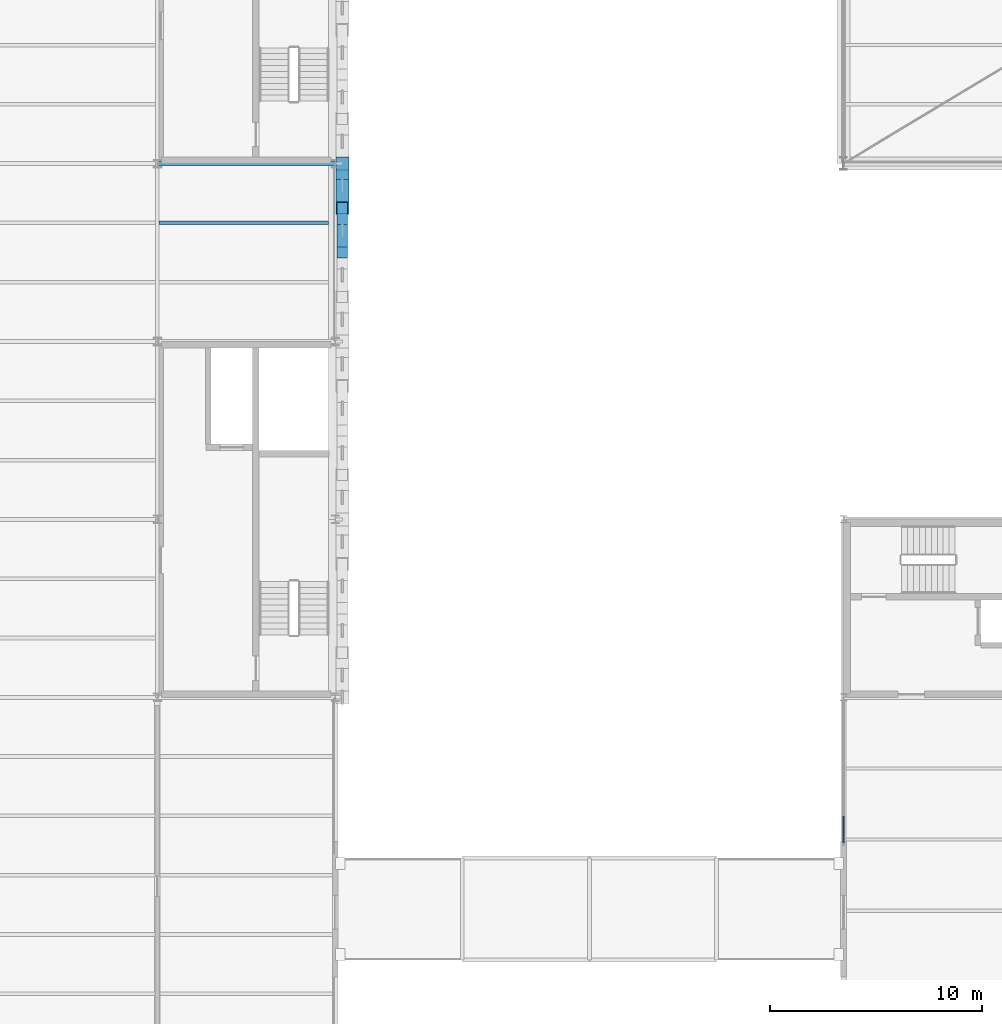
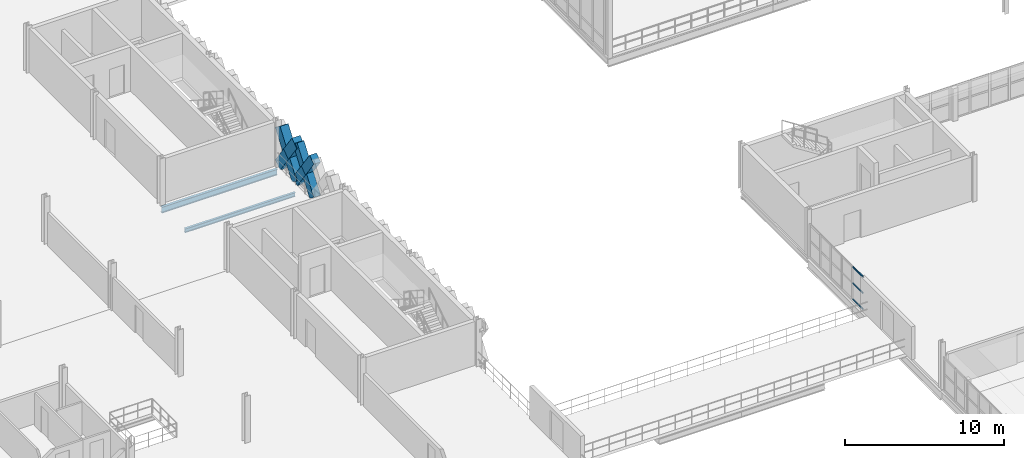
# One storey, part 33 of 101: 9 members, 2 beams, 1 element without a shape of its own.
"""IFC4 building model written with IfcOpenShell, lengths in metres."""

from ifc_helpers import new_model, si_unit, direction, frame, origin, origin_2d, place, context, subcontext, project, spatial, rectangle, i_section, extrude, material, layer, layer_set, material_profile, profile_set, type_object, element, aggregate, save


model = new_model("IFC4")

# Units and contexts
model_context = context("Model", 3, precision=1e-05, world=origin(), true_north=direction((0.0, 1.0)))
body_context = subcontext(model_context, "Body", "Model", "MODEL_VIEW")
ifc_project = project(units=[si_unit("LENGTHUNIT", "METRE"), si_unit("AREAUNIT", "SQUARE_METRE"), si_unit("VOLUMEUNIT", "CUBIC_METRE"), si_unit("PLANEANGLEUNIT", "RADIAN"), si_unit("MASSUNIT", "GRAM", prefix="KILO"), si_unit("THERMODYNAMICTEMPERATUREUNIT", "KELVIN"), si_unit("POWERUNIT", "WATT")], contexts=[model_context])

# Site, building, storey
site_placement = place(None, origin())
site = spatial("IfcSite", under=ifc_project, at=site_placement, CompositionType="ELEMENT")
building_placement = place(site_placement, origin())
building = spatial("IfcBuilding", under=site, at=building_placement, Name="Tembeka Court Mobility Hub", CompositionType="ELEMENT")
storey_placement = place(building_placement, frame((0.0, 0.0, 5.39990234375)))
storey = spatial("IfcBuildingStorey", under=building, at=storey_placement, Name="L01", CompositionType="ELEMENT", Elevation=5.39990234375)

# Beams
ifc_material_1 = material(Name="Steel S355", Category="steel")
ifc_material_profile_1 = material_profile(ifc_material_1, i_section(OverallWidth=0.18994140625, OverallDepth=0.45703125, WebThickness=0.009033203125, FlangeThickness=0.014404296875, FilletRadius=0.01025390625, at=origin_2d()), Name="UKB 457x191x74")
ifc_profile_set_1 = profile_set([ifc_material_profile_1], Name="Steel S355")
beam_type_1 = type_object("IfcBeamType", Name="BM-B01", PredefinedType="BEAM", material=ifc_profile_set_1)
beam_1_placement = place(storey_placement, frame((84.0, 63.60009765625, -0.448486328125), z_axis=(1.0, 0.0, 0.0), x_axis=(0.0, 1.0, 0.0)))
element("IfcBeam", 1, at=beam_1_placement, inside=storey, type_object=beam_type_1, Name="Beam B01 (BM-L01-X0701)", PredefinedType="BEAM", context=body_context, shape_type="SweptSolid", body=[
    extrude(i_section(OverallWidth=0.18994140625, OverallDepth=0.45703125, WebThickness=0.009033203125, FlangeThickness=0.014404296875, FilletRadius=0.01025390625, at=origin_2d()), origin(), (0.0, 0.0, 1.0), 8.39990234375),
])
ifc_material_profile_2 = material_profile(ifc_material_1, i_section(OverallWidth=0.1650390625, OverallDepth=0.303955078125, WebThickness=0.006103515625, FlangeThickness=0.01025390625, FilletRadius=0.0087890625, at=origin_2d()), Name="UKB 305x165x40")
ifc_profile_set_2 = profile_set([ifc_material_profile_2], Name="Steel S355")
beam_type_2 = type_object("IfcBeamType", Name="BM-J02", PredefinedType="JOIST", material=ifc_profile_set_2)
beam_2_placement = place(storey_placement, frame((84.083984375, 60.800048828125, -0.371826171875), z_axis=(1.0, 0.0, 0.0), x_axis=(0.0, 1.0, 0.0)))
element("IfcBeam", 2, at=beam_2_placement, inside=storey, type_object=beam_type_2, Name="Beam J02 (JST-L01-1101)", PredefinedType="JOIST", context=body_context, shape_type="SweptSolid", body=[
    extrude(i_section(OverallWidth=0.1650390625, OverallDepth=0.303955078125, WebThickness=0.006103515625, FlangeThickness=0.01025390625, FilletRadius=0.0087890625, at=origin_2d()), origin(), (0.0, 0.0, 1.0), 7.99609375),
])

# Curtain wall, members
ifc_material_2 = material(Name="Anodised aluminium 6063-T6", Category="aluminium")
ifc_layer = layer(ifc_material_2, 0.159912109375)
ifc_layer_set = layer_set([ifc_layer], Name="Anodised aluminium 6063-T6")
curtain_wall_type = type_object("IfcCurtainWallType", Name="CW-SYS36", PredefinedType="USERDEFINED", material=ifc_layer_set)
curtain_wall_placement = place(storey_placement, origin())
curtain_wall = element("IfcCurtainWall", 3, at=curtain_wall_placement, inside=storey, type_object=curtain_wall_type, Name="Unitised curtain wall CW36 (CW-L01-104)", ObjectType="UNITISED GLAZING", PredefinedType="USERDEFINED")
ifc_material_profile_3 = material_profile(ifc_material_2, rectangle(XDim=0.06494140625, YDim=0.1201171875, at=origin_2d()), Name="ALU-TRN 65x120")
ifc_profile_set_3 = profile_set([ifc_material_profile_3], Name="Anodised aluminium 6063-T6")
member_type_1 = type_object("IfcMemberType", Name="CW-TRN01", PredefinedType="USERDEFINED", material=ifc_profile_set_3)
member_1_placement = place(storey_placement, frame((116.39990234375, 31.52490234375, 0.03271484375), z_axis=(0.0, 1.0, 0.0), x_axis=(-1.0, 0.0, 0.0)))
member_1 = element("IfcMember", 4, at=member_1_placement, type_object=member_type_1, Name="CW36 transom 1.1", ObjectType="TRANSOM", PredefinedType="USERDEFINED", context=body_context, shape_type="SweptSolid", body=[
    extrude(rectangle(XDim=0.06494140625, YDim=0.1201171875, at=origin_2d()), origin(), (0.0, 0.0, 1.0), 1.25048828125),
])
member_2_placement = place(storey_placement, frame((116.39990234375, 31.52490234375, 1.267578125), z_axis=(0.0, 1.0, 0.0), x_axis=(-1.0, 0.0, 0.0)))
member_2 = element("IfcMember", 5, at=member_2_placement, type_object=member_type_1, Name="CW36 transom 1.2", ObjectType="TRANSOM", PredefinedType="USERDEFINED", context=body_context, shape_type="SweptSolid", body=[
    extrude(rectangle(XDim=0.06494140625, YDim=0.1201171875, at=origin_2d()), origin(), (0.0, 0.0, 1.0), 1.25048828125),
])
member_3_placement = place(storey_placement, frame((116.39990234375, 31.52490234375, 2.502685546875), z_axis=(0.0, 1.0, 0.0), x_axis=(-1.0, 0.0, 0.0)))
member_3 = element("IfcMember", 6, at=member_3_placement, type_object=member_type_1, Name="CW36 transom 1.3", ObjectType="TRANSOM", PredefinedType="USERDEFINED", context=body_context, shape_type="SweptSolid", body=[
    extrude(rectangle(XDim=0.06494140625, YDim=0.1201171875, at=origin_2d()), origin(), (0.0, 0.0, 1.0), 1.25048828125),
])
aggregate(curtain_wall, [member_1, member_2, member_3])

# Members
ifc_material_3 = material(Name="Precast concrete C45/55", Category="concrete")
ifc_material_profile_4 = material_profile(ifc_material_3, rectangle(XDim=0.5, YDim=0.64990234375, at=origin_2d()), Name="PC-DIAG 500x650")
ifc_profile_set_4 = profile_set([ifc_material_profile_4], Name="Precast concrete C45/55")
member_type_2 = type_object("IfcMemberType", Name="MEM-DL01", PredefinedType="BRACE", material=ifc_profile_set_4)
member_4_placement = place(storey_placement, frame((92.739990234375, 59.39990234375, 0.02001953125), z_axis=(0.0, 0.582544294934, 0.812798956963), x_axis=(-1.0, 0.0, 0.0)))
element("IfcMember", 7, at=member_4_placement, inside=storey, type_object=member_type_2, Name="Precast diamond lattice continuous strand DL01 (L01-165C)", PredefinedType="BRACE", context=body_context, shape_type="SweptSolid", body=[
    extrude(rectangle(XDim=0.5, YDim=0.64990234375, at=origin_2d()), origin(), (0.0, 0.0, 1.0), 3.60498046875),
])
for number, where, z_axis, x_axis, name in (
    (8, (92.739990234375, 61.5, 0.02001953125), (0.0, -0.582544294934, 0.812798956963), (1.0, 0.0, 0.0), "Precast diamond lattice split lower strand DL01 (L01-165D1)"),
    (9, (92.739990234375, 60.449951171875, 1.485107421875), (0.0, -0.582544294934, 0.812798956963), (1.0, 0.0, 0.0), "Precast diamond lattice split upper strand DL01 (L01-165D2)"),
):
    element("IfcMember", number, at=place(storey_placement, frame(where, z_axis=z_axis, x_axis=x_axis)), inside=storey, type_object=member_type_2, Name=name, PredefinedType="BRACE", context=body_context, shape_type="SweptSolid", body=[
        extrude(rectangle(XDim=0.5, YDim=0.64990234375, at=origin_2d()), origin(), (0.0, 0.0, 1.0), 1.802490234375),
    ])
ifc_material_profile_5 = material_profile(ifc_material_3, rectangle(XDim=0.60009765625, YDim=0.75, at=origin_2d()), Name="PC-DIAG 600x750")
ifc_profile_set_5 = profile_set([ifc_material_profile_5], Name="Precast concrete C45/55")
member_type_3 = type_object("IfcMemberType", Name="MEM-DL02", PredefinedType="BRACE", material=ifc_profile_set_5)
member_5_placement = place(storey_placement, frame((92.739990234375, 61.5, 0.02001953125), z_axis=(0.0, 0.582544294934, 0.812798956963), x_axis=(-1.0, 0.0, 0.0)))
element("IfcMember", 10, at=member_5_placement, inside=storey, type_object=member_type_3, Name="Precast diamond lattice continuous strand DL02 (L01-166C)", PredefinedType="BRACE", context=body_context, shape_type="SweptSolid", body=[
    extrude(rectangle(XDim=0.60009765625, YDim=0.75, at=origin_2d()), origin(), (0.0, 0.0, 1.0), 3.60498046875),
])
for number, where, z_axis, x_axis, name in (
    (11, (92.739990234375, 63.60009765625, 0.02001953125), (0.0, -0.582544294934, 0.812798956963), (1.0, 0.0, 0.0), "Precast diamond lattice split lower strand DL02 (L01-166D1)"),
    (12, (92.739990234375, 62.550048828125, 1.485107421875), (0.0, -0.582544294934, 0.812798956963), (1.0, 0.0, 0.0), "Precast diamond lattice split upper strand DL02 (L01-166D2)"),
):
    element("IfcMember", number, at=place(storey_placement, frame(where, z_axis=z_axis, x_axis=x_axis)), inside=storey, type_object=member_type_3, Name=name, PredefinedType="BRACE", context=body_context, shape_type="SweptSolid", body=[
        extrude(rectangle(XDim=0.60009765625, YDim=0.75, at=origin_2d()), origin(), (0.0, 0.0, 1.0), 1.802490234375),
    ])

save(model, "model.ifc")
